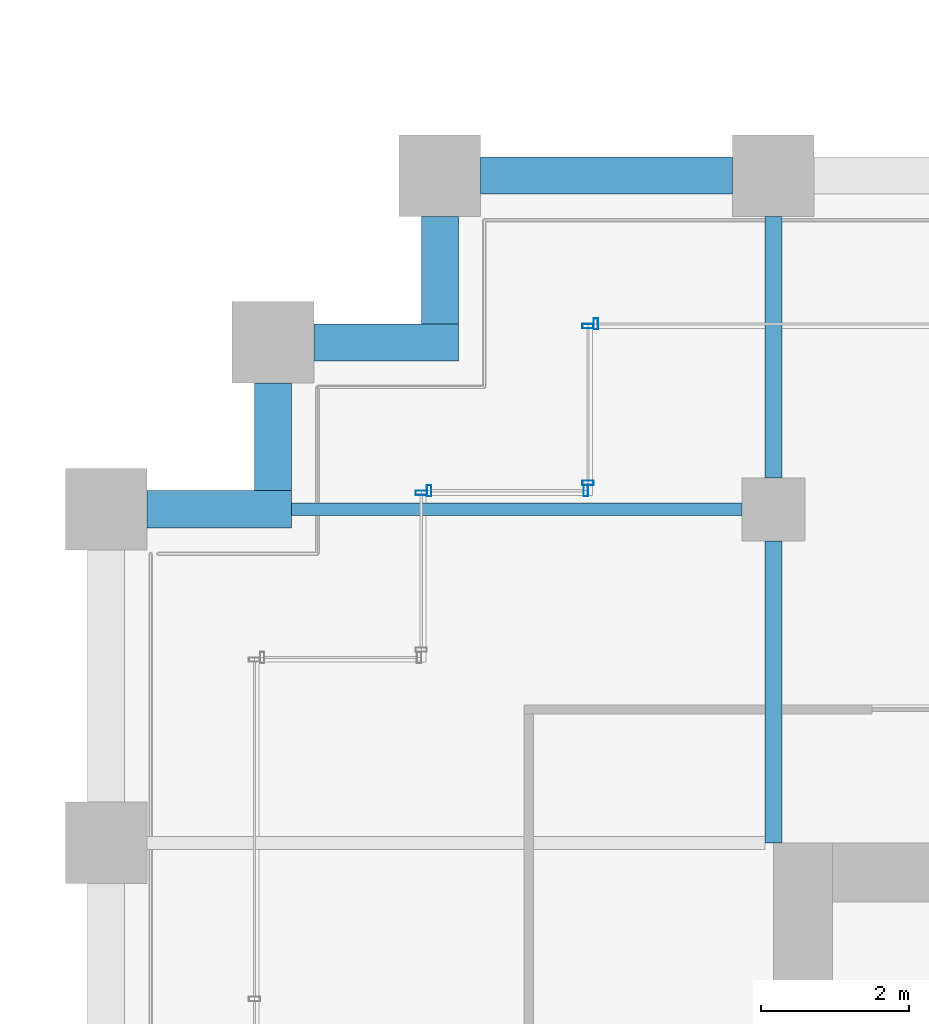
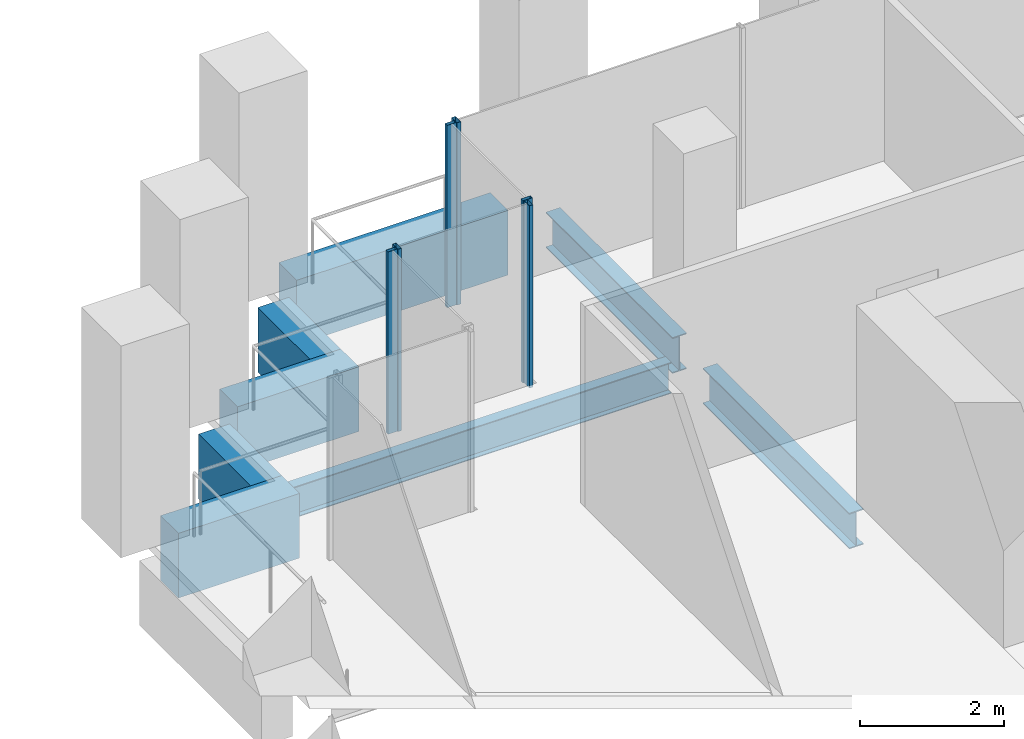
# One storey, part 41 of 54: 8 beams, 6 members, 4 elements without a shape of their own.
"""IFC4 building model written with IfcOpenShell, lengths in metres."""

from ifc_helpers import new_model, si_unit, direction, frame, origin, origin_2d, place, context, subcontext, project, spatial, rectangle, hollow_rectangle, i_section, extrude, material, material_profile, profile_set, type_object, element, aggregate, save


model = new_model("IFC4")

# Units and contexts
model_context = context("Model", 3, precision=1e-05, world=origin(), true_north=direction((0.0, 1.0)))
body_context = subcontext(model_context, "Body", "Model", "MODEL_VIEW")
ifc_project = project(units=[si_unit("LENGTHUNIT", "METRE"), si_unit("AREAUNIT", "SQUARE_METRE"), si_unit("VOLUMEUNIT", "CUBIC_METRE"), si_unit("PLANEANGLEUNIT", "RADIAN"), si_unit("MASSUNIT", "GRAM", prefix="KILO")], contexts=[model_context])

# Site, building, storey
site_placement = place(None, origin())
site = spatial("IfcSite", under=ifc_project, at=site_placement, CompositionType="ELEMENT")
building_placement = place(site_placement, origin())
building = spatial("IfcBuilding", under=site, at=building_placement, Name="Altepetl Exchange Towers", CompositionType="ELEMENT")
storey_placement = place(building_placement, frame((0.0, 0.0, 65.39990234375)))
storey = spatial("IfcBuildingStorey", under=building, at=storey_placement, Name="L15", CompositionType="ELEMENT", Elevation=65.39990234375)

# Beams
ifc_material_1 = material(Name="Steel S355", Category="steel")
ifc_material_profile_1 = material_profile(ifc_material_1, i_section(OverallWidth=0.166015625, OverallDepth=0.529052734375, WebThickness=0.009765625, FlangeThickness=0.013671875, at=origin_2d()), Name="W21X50")
ifc_profile_set_1 = profile_set([ifc_material_profile_1], Name="Steel S355")
beam_type_1 = type_object("IfcBeamType", Name="Floor beam W21X50", PredefinedType="BEAM", material=ifc_profile_set_1)
beam_1_placement = place(storey_placement, frame((97.0, 54.0, -0.414306640625), z_axis=(1.0, 0.0, 0.0), x_axis=(0.0, 1.0, 0.0)))
element("IfcBeam", 1, at=beam_1_placement, inside=storey, type_object=beam_type_1, Name="bm:B:L15:015", PredefinedType="BEAM", context=body_context, shape_type="SweptSolid", body=[
    extrude(i_section(OverallWidth=0.166015625, OverallDepth=0.529052734375, WebThickness=0.009765625, FlangeThickness=0.013671875, at=origin_2d()), origin(), (0.0, 0.0, 1.0), 6.074951171875),
])
ifc_material_profile_2 = material_profile(ifc_material_1, i_section(OverallWidth=0.22802734375, OverallDepth=0.60791015625, WebThickness=0.01123046875, FlangeThickness=0.017333984375, at=origin_2d()), Name="W24X76")
ifc_profile_set_2 = profile_set([ifc_material_profile_2], Name="Steel S355")
beam_type_2 = type_object("IfcBeamType", Name="Girder W24X76", PredefinedType="BEAM", material=ifc_profile_set_2)
beam_2_placement = place(storey_placement, frame((103.5, 57.949951171875, -0.453857421875), z_axis=(0.0, -1.0, 0.0), x_axis=(1.0, 0.0, 0.0)))
element("IfcBeam", 2, at=beam_2_placement, inside=storey, type_object=beam_type_2, Name="gd:B:L15:002", PredefinedType="BEAM", context=body_context, shape_type="SweptSolid", body=[
    extrude(i_section(OverallWidth=0.22802734375, OverallDepth=0.60791015625, WebThickness=0.01123046875, FlangeThickness=0.017333984375, at=origin_2d()), origin(), (0.0, 0.0, 1.0), 3.52490234375),
])
beam_3_placement = place(storey_placement, frame((103.5, 53.574951171875, -0.453857421875), z_axis=(0.0, -1.0, 0.0), x_axis=(1.0, 0.0, 0.0)))
element("IfcBeam", 3, at=beam_3_placement, inside=storey, type_object=beam_type_2, Name="gd:B:L15:003", PredefinedType="BEAM", context=body_context, shape_type="SweptSolid", body=[
    extrude(i_section(OverallWidth=0.22802734375, OverallDepth=0.60791015625, WebThickness=0.01123046875, FlangeThickness=0.017333984375, at=origin_2d()), origin(), (0.0, 0.0, 1.0), 4.074951171875),
])

# Curtain wall, member
ifc_material_2 = material(Name="Aluminium 6063-T6 glazing", Category="aluminium")
curtain_wall_type = type_object("IfcCurtainWallType", Name="Loggia glazing system", PredefinedType="NOTDEFINED", material=ifc_material_2)
curtain_wall_1_placement = place(storey_placement, origin())
curtain_wall_1 = element("IfcCurtainWall", 4, at=curtain_wall_1_placement, inside=storey, type_object=curtain_wall_type, Name="CW1 run", PredefinedType="NOTDEFINED")
ifc_material_3 = material(Name="Aluminium 6063-T6", Category="aluminium")
ifc_material_profile_3 = material_profile(ifc_material_3, hollow_rectangle(XDim=0.06005859375, YDim=0.14990234375, WallThickness=0.0029296875, at=origin_2d()), Name="Mullion 60x150 aluminium")
ifc_profile_set_3 = profile_set([ifc_material_profile_3], Name="Aluminium 6063-T6")
member_type = type_object("IfcMemberType", Name="Mullion 60x150 aluminium", PredefinedType="MULLION", material=ifc_profile_set_3)
member_1_placement = place(storey_placement, frame((101.10498046875, 56.5, 0.0), z_axis=(0.0, 0.0, 1.0), x_axis=(-1.0, 0.0, 0.0)))
member_1 = element("IfcMember", 5, at=member_1_placement, type_object=member_type, Name="MU1 mullion", PredefinedType="MULLION", context=body_context, shape_type="SweptSolid", body=[
    extrude(hollow_rectangle(XDim=0.06005859375, YDim=0.14990234375, WallThickness=0.0029296875, at=origin_2d()), origin(), (0.0, 0.0, 1.0), 3.10009765625),
])
aggregate(curtain_wall_1, [member_1])

# Curtain wall, members
curtain_wall_2_placement = place(storey_placement, origin())
curtain_wall_2 = element("IfcCurtainWall", 6, at=curtain_wall_2_placement, inside=storey, type_object=curtain_wall_type, Name="CW1 run", PredefinedType="NOTDEFINED")
member_2_placement = place(storey_placement, frame((101.0, 56.469970703125, 0.0), z_axis=(0.0, 0.0, 1.0), x_axis=(0.0, -1.0, 0.0)))
member_2 = element("IfcMember", 7, at=member_2_placement, type_object=member_type, Name="MU1 mullion", PredefinedType="MULLION", context=body_context, shape_type="SweptSolid", body=[
    extrude(hollow_rectangle(XDim=0.06005859375, YDim=0.14990234375, WallThickness=0.0029296875, at=origin_2d()), origin(), (0.0, 0.0, 1.0), 3.10009765625),
])
member_3_placement = place(storey_placement, frame((101.0, 54.35498046875, 0.0), z_axis=(0.0, 0.0, 1.0), x_axis=(0.0, -1.0, 0.0)))
member_3 = element("IfcMember", 8, at=member_3_placement, type_object=member_type, Name="MU1 mullion", PredefinedType="MULLION", context=body_context, shape_type="SweptSolid", body=[
    extrude(hollow_rectangle(XDim=0.06005859375, YDim=0.14990234375, WallThickness=0.0029296875, at=origin_2d()), origin(), (0.0, 0.0, 1.0), 3.10009765625),
])
aggregate(curtain_wall_2, [member_2, member_3])

curtain_wall_3_placement = place(storey_placement, origin())
curtain_wall_3 = element("IfcCurtainWall", 9, at=curtain_wall_3_placement, inside=storey, type_object=curtain_wall_type, Name="CW1 run", PredefinedType="NOTDEFINED")
member_4_placement = place(storey_placement, frame((100.969970703125, 54.25, 0.0), z_axis=(0.0, 0.0, 1.0), x_axis=(-1.0, 0.0, 0.0)))
member_4 = element("IfcMember", 10, at=member_4_placement, type_object=member_type, Name="MU1 mullion", PredefinedType="MULLION", context=body_context, shape_type="SweptSolid", body=[
    extrude(hollow_rectangle(XDim=0.06005859375, YDim=0.14990234375, WallThickness=0.0029296875, at=origin_2d()), origin(), (0.0, 0.0, 1.0), 3.10009765625),
])
member_5_placement = place(storey_placement, frame((98.85498046875, 54.25, 0.0), z_axis=(0.0, 0.0, 1.0), x_axis=(-1.0, 0.0, 0.0)))
member_5 = element("IfcMember", 11, at=member_5_placement, type_object=member_type, Name="MU1 mullion", PredefinedType="MULLION", context=body_context, shape_type="SweptSolid", body=[
    extrude(hollow_rectangle(XDim=0.06005859375, YDim=0.14990234375, WallThickness=0.0029296875, at=origin_2d()), origin(), (0.0, 0.0, 1.0), 3.10009765625),
])
aggregate(curtain_wall_3, [member_4, member_5])

# Curtain wall, member
curtain_wall_4_placement = place(storey_placement, origin())
curtain_wall_4 = element("IfcCurtainWall", 12, at=curtain_wall_4_placement, inside=storey, type_object=curtain_wall_type, Name="CW1 run", PredefinedType="NOTDEFINED")
member_6_placement = place(storey_placement, frame((98.75, 54.219970703125, 0.0), z_axis=(0.0, 0.0, 1.0), x_axis=(0.0, -1.0, 0.0)))
member_6 = element("IfcMember", 13, at=member_6_placement, type_object=member_type, Name="MU1 mullion", PredefinedType="MULLION", context=body_context, shape_type="SweptSolid", body=[
    extrude(hollow_rectangle(XDim=0.06005859375, YDim=0.14990234375, WallThickness=0.0029296875, at=origin_2d()), origin(), (0.0, 0.0, 1.0), 3.10009765625),
])
aggregate(curtain_wall_4, [member_6])

# Beams
ifc_material_4 = material(Name="Concrete C50/60 precast with cantera rosa facing", Category="concrete")
ifc_material_profile_4 = material_profile(ifc_material_4, rectangle(XDim=0.5, YDim=1.10009765625, at=origin_2d()), Name="500 x 1100")
ifc_profile_set_4 = profile_set([ifc_material_profile_4], Name="Concrete C50/60 precast with cantera rosa facing")
beam_type_3 = type_object("IfcBeamType", Name="Spandrel beam 500x1100 cantera rosa", PredefinedType="SPANDREL", material=ifc_profile_set_4)
beam_4_placement = place(storey_placement, frame((102.949951171875, 58.5, -0.699951171875), z_axis=(-1.0, 0.0, 0.0), x_axis=(0.0, -1.0, 0.0)))
element("IfcBeam", 14, at=beam_4_placement, inside=storey, type_object=beam_type_3, Name="sp:B:L15:022", PredefinedType="SPANDREL", context=body_context, shape_type="SweptSolid", body=[
    extrude(rectangle(XDim=0.5, YDim=1.10009765625, at=origin_2d()), origin(), (0.0, 0.0, 1.0), 3.39990234375),
])
beam_5_placement = place(storey_placement, frame((99.0, 57.949951171875, -0.699951171875), z_axis=(0.0, -1.0, 0.0), x_axis=(1.0, 0.0, 0.0)))
element("IfcBeam", 15, at=beam_5_placement, inside=storey, type_object=beam_type_3, Name="sp:B:L15:023", PredefinedType="SPANDREL", context=body_context, shape_type="SweptSolid", body=[
    extrude(rectangle(XDim=0.5, YDim=1.10009765625, at=origin_2d()), origin(), (0.0, 0.0, 1.0), 1.449951171875),
])
beam_6_placement = place(storey_placement, frame((99.25, 56.25, -0.699951171875), z_axis=(-1.0, 0.0, 0.0), x_axis=(0.0, -1.0, 0.0)))
element("IfcBeam", 16, at=beam_6_placement, inside=storey, type_object=beam_type_3, Name="sp:B:L15:024", PredefinedType="SPANDREL", context=body_context, shape_type="SweptSolid", body=[
    extrude(rectangle(XDim=0.5, YDim=1.10009765625, at=origin_2d()), origin(), (0.0, 0.0, 1.0), 1.949951171875),
])
beam_7_placement = place(storey_placement, frame((96.75, 55.699951171875, -0.699951171875), z_axis=(0.0, -1.0, 0.0), x_axis=(1.0, 0.0, 0.0)))
element("IfcBeam", 17, at=beam_7_placement, inside=storey, type_object=beam_type_3, Name="sp:B:L15:025", PredefinedType="SPANDREL", context=body_context, shape_type="SweptSolid", body=[
    extrude(rectangle(XDim=0.5, YDim=1.10009765625, at=origin_2d()), origin(), (0.0, 0.0, 1.0), 1.449951171875),
])
beam_8_placement = place(storey_placement, frame((97.0, 54.0, -0.699951171875), z_axis=(-1.0, 0.0, 0.0), x_axis=(0.0, -1.0, 0.0)))
element("IfcBeam", 18, at=beam_8_placement, inside=storey, type_object=beam_type_3, Name="sp:B:L15:026", PredefinedType="SPANDREL", context=body_context, shape_type="SweptSolid", body=[
    extrude(rectangle(XDim=0.5, YDim=1.10009765625, at=origin_2d()), origin(), (0.0, 0.0, 1.0), 1.949951171875),
])

save(model, "model.ifc")
